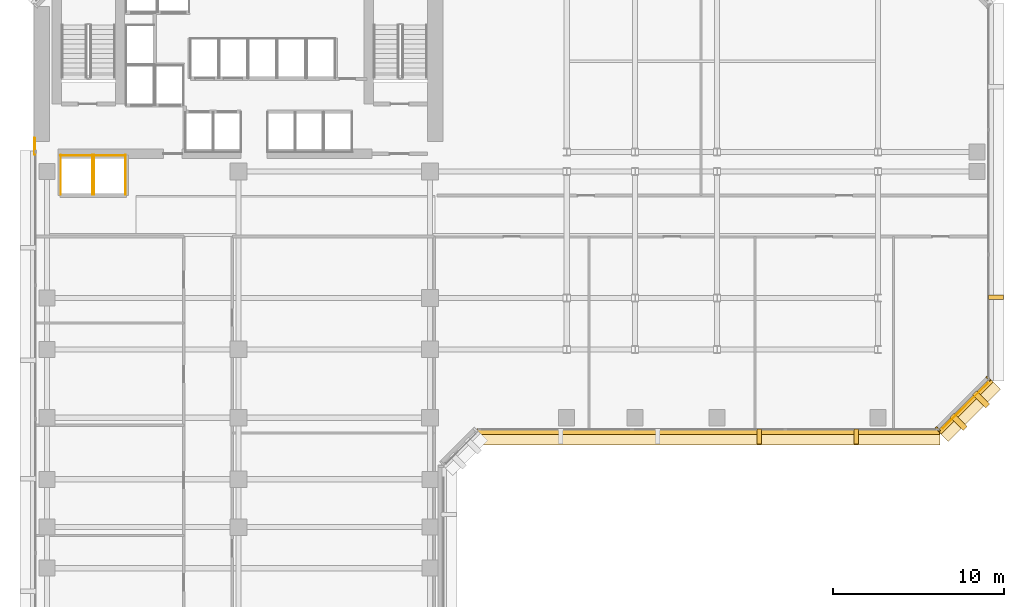
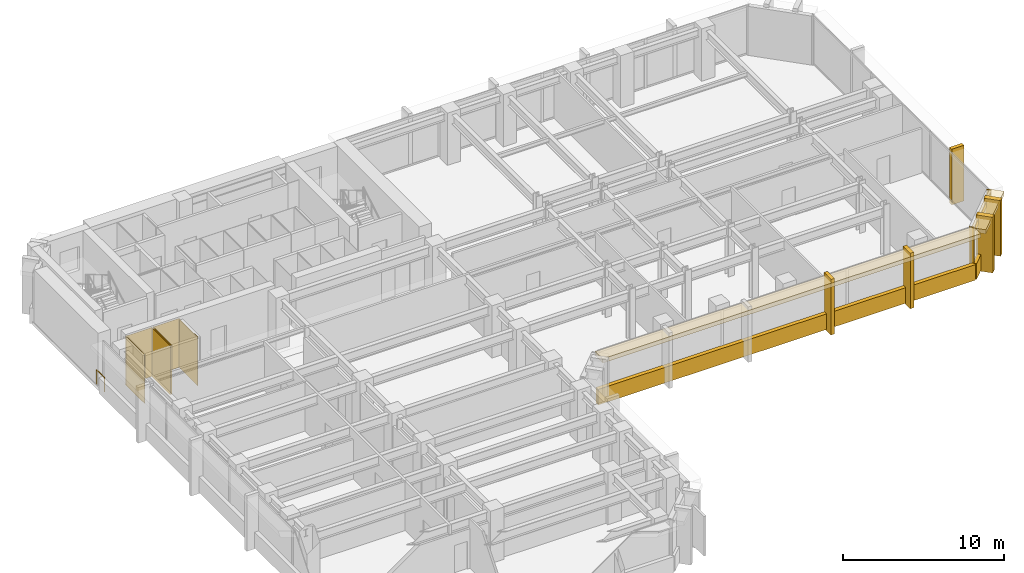
# One storey, part 10 of 13: 18 coverings, 1 railing.
"""IFC4 building model written with IfcOpenShell, lengths in metres."""

from ifc_helpers import new_model, si_unit, direction, frame, origin, origin_2d, place, context, subcontext, project, spatial, polyline, rectangle, circle, outline, extrude, material, layer, layer_set, type_object, element, save


model = new_model("IFC4")

# Units and contexts
model_context = context("Model", 3, precision=1e-05, world=origin(), true_north=direction((0.0, 1.0)))
body_context = subcontext(model_context, "Body", "Model", "MODEL_VIEW")
ifc_project = project(units=[si_unit("LENGTHUNIT", "METRE"), si_unit("AREAUNIT", "SQUARE_METRE"), si_unit("VOLUMEUNIT", "CUBIC_METRE"), si_unit("PLANEANGLEUNIT", "RADIAN"), si_unit("MASSUNIT", "GRAM", prefix="KILO")], contexts=[model_context])

# Site, building, storey
site_placement = place(None, origin())
site = spatial("IfcSite", under=ifc_project, at=site_placement, CompositionType="ELEMENT")
building_placement = place(site_placement, origin())
building = spatial("IfcBuilding", under=site, at=building_placement, Name="Kefirva Bronze Tower", CompositionType="ELEMENT")
storey_placement = place(building_placement, frame((0.0, 0.0, 106.590087890625)))
storey = spatial("IfcBuildingStorey", under=building, at=storey_placement, Name="L25", CompositionType="ELEMENT", Elevation=106.590087890625)

# Coverings
ifc_material_1 = material(Name="Bronze anodised aluminium", Category="aluminium")
ifc_layer_1 = layer(ifc_material_1, 0.02001953125, Name="Bronze anodised aluminium")
ifc_layer_set_1 = layer_set([ifc_layer_1], Name="Bronze anodised aluminium")
covering_type_1 = type_object("IfcCoveringType", Name="Anodised Bronze Spandrel Cladding 20mm", PredefinedType="CLADDING", material=ifc_layer_set_1)
covering_1_placement = place(storey_placement, frame((39.5, 17.9599609375, -0.16015625), z_axis=(0.0, 0.0, 1.0), x_axis=(1.0, 0.0, 0.0)))
element("IfcCovering", 1, at=covering_1_placement, inside=storey, type_object=covering_type_1, Name="L25 Streamline Horizontal Spandrel Band 4", PredefinedType="CLADDING", context=body_context, shape_type="SweptSolid", body=[
    extrude(rectangle(XDim=27.0400390625, YDim=0.280029296875, at=origin_2d()), origin(), (0.0, 0.0, 1.0), 1.179931640625),
])
covering_2_placement = place(storey_placement, frame((54.507080078125, 19.492919921875, 3.2900390625), z_axis=(0.0, 0.0, 1.0), x_axis=(0.707106781187, 0.707106781187, 0.0)))
element("IfcCovering", 2, at=covering_2_placement, inside=storey, type_object=covering_type_1, Name="L25 Bronze Spandrel Cladding 4", PredefinedType="CLADDING", context=body_context, shape_type="SweptSolid", body=[
    extrude(rectangle(XDim=3.719482421875, YDim=0.02001953125, at=origin_2d()), origin(), (0.0, 0.0, 1.0), 0.39990234375),
])
for number, where, z_axis, x_axis, name in (
    (3, (52.91162109375, 18.137939453125, 0.0), (0.0, 0.0, 1.0), (0.707106781187, 0.707106781187, 0.0), "L25 Facade Joint Closure Panel 4S"),
    (4, (55.862060546875, 21.08837890625, 0.0), (0.0, 0.0, 1.0), (0.707106781187, 0.707106781187, 0.0), "L25 Facade Joint Closure Panel 4E"),
):
    element("IfcCovering", number, at=place(storey_placement, frame(where, z_axis=z_axis, x_axis=x_axis)), inside=storey, type_object=covering_type_1, Name=name, PredefinedType="CLADDING", context=body_context, shape_type="SweptSolid", body=[
        extrude(rectangle(XDim=0.10009765625, YDim=0.320068359375, at=origin_2d()), origin(), (0.0, 0.0, 1.0), 3.7099609375),
    ])
covering_3_placement = place(storey_placement, frame((54.5283203125, 19.4716796875, -0.16015625), z_axis=(0.0, 0.0, 1.0), x_axis=(0.707106781187, 0.707106781187, 0.0)))
element("IfcCovering", 5, at=covering_3_placement, inside=storey, type_object=covering_type_1, Name="L25 Streamline Horizontal Spandrel Band 5", PredefinedType="CLADDING", context=body_context, shape_type="SweptSolid", body=[
    extrude(rectangle(XDim=4.28271484375, YDim=0.280029296875, at=origin_2d()), origin(), (0.0, 0.0, 1.0), 1.179931640625),
])
covering_4_placement = place(storey_placement, origin())
element("IfcCovering", 6, at=covering_4_placement, inside=storey, type_object=covering_type_1, Name="L25 Lift OB1 Hoistway Liner N", PredefinedType="CLADDING", context=body_context, shape_type="SweptSolid", body=[
    extrude(outline(polyline([(1.580078125, 34.139892578125), (3.469970703125, 34.139892578125), (3.469970703125, 34.159912109375), (1.580078125, 34.159912109375), (1.580078125, 34.139892578125)])), origin(), (0.0, 0.0, 1.0), 3.7099609375),
])
covering_5_placement = place(storey_placement, origin())
element("IfcCovering", 7, at=covering_5_placement, inside=storey, type_object=covering_type_1, Name="L25 Lift OB1 Hoistway Liner W", PredefinedType="CLADDING", context=body_context, shape_type="SweptSolid", body=[
    extrude(outline(polyline([(1.590087890625, 31.830078125), (1.610107421875, 31.830078125), (1.610107421875, 34.169921875), (1.590087890625, 34.169921875), (1.590087890625, 31.830078125)])), origin(), (0.0, 0.0, 1.0), 3.7099609375),
])
covering_6_placement = place(storey_placement, origin())
element("IfcCovering", 8, at=covering_6_placement, inside=storey, type_object=covering_type_1, Name="L25 Lift OB1 Hoistway Liner E", PredefinedType="CLADDING", context=body_context, shape_type="SweptSolid", body=[
    extrude(outline(polyline([(3.43994140625, 31.830078125), (3.4599609375, 31.830078125), (3.4599609375, 34.169921875), (3.43994140625, 34.169921875), (3.43994140625, 31.830078125)])), origin(), (0.0, 0.0, 1.0), 3.7099609375),
])
covering_7_placement = place(storey_placement, origin())
element("IfcCovering", 9, at=covering_7_placement, inside=storey, type_object=covering_type_1, Name="L25 Lift OB2 Hoistway Liner N", PredefinedType="CLADDING", context=body_context, shape_type="SweptSolid", body=[
    extrude(outline(polyline([(3.530029296875, 34.139892578125), (5.419921875, 34.139892578125), (5.419921875, 34.159912109375), (3.530029296875, 34.159912109375), (3.530029296875, 34.139892578125)])), origin(), (0.0, 0.0, 1.0), 3.7099609375),
])
covering_8_placement = place(storey_placement, origin())
element("IfcCovering", 10, at=covering_8_placement, inside=storey, type_object=covering_type_1, Name="L25 Lift OB2 Hoistway Liner W", PredefinedType="CLADDING", context=body_context, shape_type="SweptSolid", body=[
    extrude(outline(polyline([(3.5400390625, 31.830078125), (3.56005859375, 31.830078125), (3.56005859375, 34.169921875), (3.5400390625, 34.169921875), (3.5400390625, 31.830078125)])), origin(), (0.0, 0.0, 1.0), 3.7099609375),
])
covering_9_placement = place(storey_placement, origin())
element("IfcCovering", 11, at=covering_9_placement, inside=storey, type_object=covering_type_1, Name="L25 Lift OB2 Hoistway Liner E", PredefinedType="CLADDING", context=body_context, shape_type="SweptSolid", body=[
    extrude(outline(polyline([(5.389892578125, 31.830078125), (5.409912109375, 31.830078125), (5.409912109375, 34.169921875), (5.389892578125, 34.169921875), (5.389892578125, 31.830078125)])), origin(), (0.0, 0.0, 1.0), 3.7099609375),
])

# Railing
ifc_material_2 = material(Name="Stainless steel 316", Category="steel")
railing_type = type_object("IfcRailingType", Name="Interior Stair Guardrail 1100mm", PredefinedType="GUARDRAIL", material=ifc_material_2)
railing_placement = place(storey_placement, frame((0.080078125, 34.199951171875, 0.0)))
element("IfcRailing", 12, at=railing_placement, inside=storey, type_object=railing_type, Name="L25 West Core Junction Guardrail", PredefinedType="GUARDRAIL", context=body_context, shape_type="SweptSolid", body=[
    extrude(circle(Radius=0.02392578125, at=origin_2d()), frame((0.0, 0.0, 1.076171875), z_axis=(0.0, 1.0, 0.0), x_axis=(-1.0, 0.0, 0.0)), (0.0, 0.0, 1.0), 0.949951171875),
    extrude(circle(Radius=0.02099609375, at=origin_2d()), origin(), (0.0, 0.0, 1.0), 1.052001953125),
    extrude(circle(Radius=0.02099609375, at=origin_2d()), frame((0.0, 0.949951171875, 0.0)), (0.0, 0.0, 1.0), 1.052001953125),
])

# Coverings
ifc_layer_2 = layer(ifc_material_1, 0.179931640625, Name="Bronze anodised aluminium")
ifc_layer_set_2 = layer_set([ifc_layer_2], Name="Bronze anodised aluminium")
covering_type_2 = type_object("IfcCoveringType", Name="Streamline Bronze Sunshade Eyebrow Cladding 180mm", PredefinedType="CLADDING", material=ifc_layer_set_2)
covering_10_placement = place(storey_placement, frame((39.5, 17.68994140625, 3.3896484375), z_axis=(0.0, 0.0, 1.0), x_axis=(1.0, 0.0, 0.0)))
element("IfcCovering", 13, at=covering_10_placement, inside=storey, type_object=covering_type_2, Name="L25 Streamline Bronze Sunshade Eyebrow 4", PredefinedType="CLADDING", context=body_context, shape_type="SweptSolid", body=[
    extrude(rectangle(XDim=27.080078125, YDim=0.93994140625, at=origin_2d()), origin(), (0.0, 0.0, 1.0), 0.320068359375),
])
covering_11_placement = place(storey_placement, frame((54.71923828125, 19.28076171875, 3.3896484375), z_axis=(0.0, 0.0, 1.0), x_axis=(0.707106781187, 0.707106781187, 0.0)))
element("IfcCovering", 14, at=covering_11_placement, inside=storey, type_object=covering_type_2, Name="L25 Streamline Bronze Sunshade Eyebrow 5", PredefinedType="CLADDING", context=body_context, shape_type="SweptSolid", body=[
    extrude(rectangle(XDim=4.322509765625, YDim=0.93994140625, at=origin_2d()), origin(), (0.0, 0.0, 1.0), 0.320068359375),
])
ifc_layer_3 = layer(ifc_material_1, 0.260009765625, Name="Bronze anodised aluminium")
ifc_layer_set_3 = layer_set([ifc_layer_3], Name="Bronze anodised aluminium")
covering_type_3 = type_object("IfcCoveringType", Name="Unbroken Bronze Buttress Fin Cladding 260mm", PredefinedType="CLADDING", material=ifc_layer_set_3)
for number, where, z_axis, x_axis, name in (
    (15, (42.469970703125, 17.699951171875, -0.25), (0.0, 0.0, 1.0), (1.0, 0.0, 0.0), "L25 Unbroken Vertical Bronze Rib Fin 11"),
    (16, (48.139892578125, 17.699951171875, -0.25), (0.0, 0.0, 1.0), (1.0, 0.0, 0.0), "L25 Unbroken Vertical Bronze Rib Fin 12"),
):
    element("IfcCovering", number, at=place(storey_placement, frame(where, z_axis=z_axis, x_axis=x_axis)), inside=storey, type_object=covering_type_3, Name=name, PredefinedType="CLADDING", context=body_context, shape_type="SweptSolid", body=[
        extrude(rectangle(XDim=0.260009765625, YDim=0.8798828125, at=origin_2d()), origin(), (0.0, 0.0, 1.0), 4.2099609375),
    ])
for number, where, z_axis, x_axis, name in (
    (17, (54.122802734375, 18.55712890625, -0.25), (0.0, 0.0, 1.0), (0.707106781187, 0.707106781187, 0.0), "L25 Chamfered Corner Buttress Fin Cladding 13"),
    (18, (55.44287109375, 19.877197265625, -0.25), (0.0, 0.0, 1.0), (0.707106781187, 0.707106781187, 0.0), "L25 Chamfered Corner Buttress Fin Cladding 14"),
):
    element("IfcCovering", number, at=place(storey_placement, frame(where, z_axis=z_axis, x_axis=x_axis)), inside=storey, type_object=covering_type_3, Name=name, PredefinedType="CLADDING", context=body_context, shape_type="SweptSolid", body=[
        extrude(rectangle(XDim=0.340087890625, YDim=1.080078125, at=origin_2d()), origin(), (0.0, 0.0, 1.0), 4.2099609375),
    ])
covering_12_placement = place(storey_placement, frame((56.300048828125, 25.840087890625, -0.25), z_axis=(0.0, 0.0, 1.0), x_axis=(0.0, 1.0, 0.0)))
element("IfcCovering", 19, at=covering_12_placement, inside=storey, type_object=covering_type_3, Name="L25 Unbroken Vertical Bronze Rib Fin 15", PredefinedType="CLADDING", context=body_context, shape_type="SweptSolid", body=[
    extrude(rectangle(XDim=0.260009765625, YDim=0.8798828125, at=origin_2d()), origin(), (0.0, 0.0, 1.0), 4.2099609375),
])

save(model, "model.ifc")
